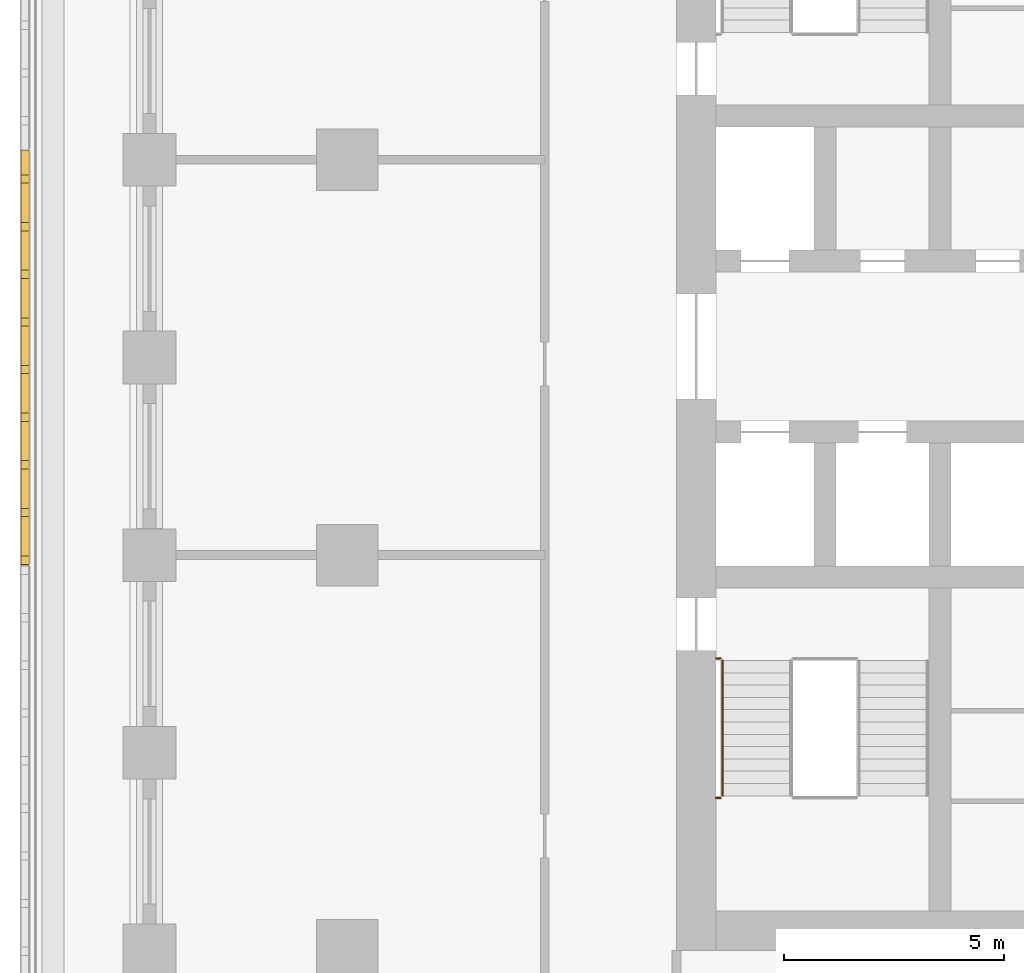
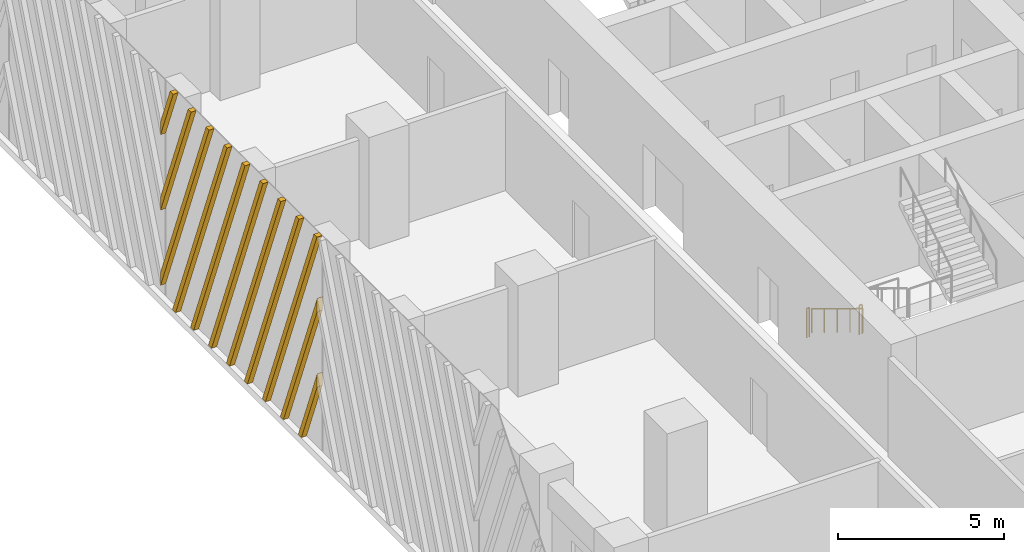
# One storey, part 11 of 19: 3 railings, 1 shading device.
"""IFC4 building model written with IfcOpenShell, lengths in metres."""

from ifc_helpers import new_model, si_unit, direction, frame, origin, origin_2d, place, context, subcontext, project, spatial, polyline, circle, outline, extrude, source, transform, mapped, material, type_object, element, save


model = new_model("IFC4")

# Units and contexts
model_context = context("Model", 3, precision=1e-05, world=origin(), true_north=direction((0.0, 1.0)))
body_context = subcontext(model_context, "Body", "Model", "MODEL_VIEW")
ifc_project = project(units=[si_unit("LENGTHUNIT", "METRE"), si_unit("AREAUNIT", "SQUARE_METRE"), si_unit("VOLUMEUNIT", "CUBIC_METRE"), si_unit("PLANEANGLEUNIT", "RADIAN"), si_unit("MASSUNIT", "GRAM", prefix="KILO")], contexts=[model_context])

# Site, building, storey
site_placement = place(None, origin())
site = spatial("IfcSite", under=ifc_project, at=site_placement, CompositionType="ELEMENT")
building_placement = place(site_placement, origin())
building = spatial("IfcBuilding", under=site, at=building_placement, Name="Corbel Stack Research Tower", CompositionType="ELEMENT")
storey_placement = place(building_placement, frame((0.0, 0.0, 90.199951171875)))
storey = spatial("IfcBuildingStorey", under=building, at=storey_placement, Name="L20", CompositionType="ELEMENT", Elevation=90.199951171875)

# Railings
ifc_material_1 = material(Name="Steel S355", Category="steel")
railing_type_1 = type_object("IfcRailingType", Name="Stair guard 1100", PredefinedType="GUARDRAIL", material=ifc_material_1)
for number, where, name in (
    (1, (-9.60009765625, -5.530029296875, 2.050048828125), "L20 ST-W1 stair guard 3"),
    (2, (-9.60009765625, -2.35009765625, 0.0), "L20 ST-W1 stair guard 6"),
):
    element("IfcRailing", number, at=place(storey_placement, frame(where)), inside=storey, type_object=railing_type_1, Name=name, PredefinedType="GUARDRAIL", context=body_context, shape_type="SweptSolid", body=[
        extrude(circle(Radius=0.02392578125, at=origin_2d()), frame((0.0, 0.0, 1.076171875), z_axis=(1.0, 0.0, 0.0), x_axis=(0.0, 1.0, 0.0)), (0.0, 0.0, 1.0), 0.10009765625),
        extrude(circle(Radius=0.02099609375, at=origin_2d()), origin(), (0.0, 0.0, 1.0), 1.052001953125),
        extrude(circle(Radius=0.02099609375, at=origin_2d()), frame((0.10009765625, 0.0, 0.0)), (0.0, 0.0, 1.0), 1.052001953125),
    ])
ifc_material_2 = material(Name="Steel S355", Category="steel")
railing_type_2 = type_object("IfcRailingType", Name="Stair handrail 900", PredefinedType="HANDRAIL", material=ifc_material_2)
railing_placement = place(storey_placement, frame((-9.449951171875, -2.39990234375, 0.1708984375)))
element("IfcRailing", 3, at=railing_placement, inside=storey, type_object=railing_type_2, Name="L20 ST-W1 stair handrail 1", PredefinedType="HANDRAIL", context=body_context, shape_type="SweptSolid", body=[
    extrude(circle(Radius=0.02392578125, at=origin_2d()), frame((0.0, 0.0, 0.8759765625), z_axis=(0.0, -0.853666305674, 0.52082035152), x_axis=(1.0, 0.0, 0.0)), (0.0, 0.0, 1.0), 3.608154296875),
    extrude(circle(Radius=0.02099609375, at=origin_2d()), origin(), (0.0, 0.0, 1.0), 0.851806640625),
    extrude(circle(Radius=0.02099609375, at=origin_2d()), frame((0.0, -0.77001953125, 0.4697265625)), (0.0, 0.0, 1.0), 0.851806640625),
    extrude(circle(Radius=0.02099609375, at=origin_2d()), frame((0.0, -1.5400390625, 0.939453125)), (0.0, 0.0, 1.0), 0.851806640625),
    extrude(circle(Radius=0.02099609375, at=origin_2d()), frame((0.0, -2.31005859375, 1.409423828125)), (0.0, 0.0, 1.0), 0.851806640625),
    extrude(circle(Radius=0.02099609375, at=origin_2d()), frame((0.0, -3.080078125, 1.879150390625)), (0.0, 0.0, 1.0), 0.851806640625),
])

# Shading device
ifc_material_3 = material(Name="Precast terracotta", Category="masonry")
shading_device_type = type_object("IfcShadingDeviceType", Name="Terracotta screen panel", PredefinedType="USERDEFINED", material=ifc_material_3)
shared_shape = source(origin(), body_context, "Body", "SweptSolid", [
    extrude(outline(polyline([(0.759521484375, 7.949951171875), (0.5693359375, 7.949951171875), (0.0, 6.4921875), (0.0, 6.005615234375), (0.759521484375, 7.949951171875)])), frame((0.0, 0.0, 0.0), z_axis=(0.0, -1.0, 0.0), x_axis=(1.0, 0.0, 0.0)), (0.0, 0.0, 1.0), 0.179931640625),
    extrude(outline(polyline([(1.843994140625, 7.949951171875), (1.654052734375, 7.949951171875), (0.0, 3.71484375), (0.0, 3.228515625), (1.843994140625, 7.949951171875)])), frame((0.0, 0.0, 0.0), z_axis=(0.0, -1.0, 0.0), x_axis=(1.0, 0.0, 0.0)), (0.0, 0.0, 1.0), 0.179931640625),
    extrude(outline(polyline([(2.9287109375, 7.949951171875), (2.73876953125, 7.949951171875), (0.0, 0.9375), (0.0, 0.451171875), (2.9287109375, 7.949951171875)])), frame((0.0, 0.0, 0.0), z_axis=(0.0, -1.0, 0.0), x_axis=(1.0, 0.0, 0.0)), (0.0, 0.0, 1.0), 0.179931640625),
    extrude(outline(polyline([(0.908447265625, 0.0), (4.013427734375, 7.949951171875), (3.823486328125, 7.949951171875), (0.718505859375, 0.0), (0.908447265625, 0.0)])), frame((0.0, 0.0, 0.0), z_axis=(0.0, -1.0, 0.0), x_axis=(1.0, 0.0, 0.0)), (0.0, 0.0, 1.0), 0.179931640625),
    extrude(outline(polyline([(1.9931640625, 0.0), (5.097900390625, 7.949951171875), (4.907958984375, 7.949951171875), (1.80322265625, 0.0), (1.9931640625, 0.0)])), frame((0.0, 0.0, 0.0), z_axis=(0.0, -1.0, 0.0), x_axis=(1.0, 0.0, 0.0)), (0.0, 0.0, 1.0), 0.179931640625),
    extrude(outline(polyline([(3.077880859375, 0.0), (6.1826171875, 7.949951171875), (5.99267578125, 7.949951171875), (2.8876953125, 0.0), (3.077880859375, 0.0)])), frame((0.0, 0.0, 0.0), z_axis=(0.0, -1.0, 0.0), x_axis=(1.0, 0.0, 0.0)), (0.0, 0.0, 1.0), 0.179931640625),
    extrude(outline(polyline([(4.16259765625, 0.0), (7.267333984375, 7.949951171875), (7.077392578125, 7.949951171875), (3.972412109375, 0.0), (4.16259765625, 0.0)])), frame((0.0, 0.0, 0.0), z_axis=(0.0, -1.0, 0.0), x_axis=(1.0, 0.0, 0.0)), (0.0, 0.0, 1.0), 0.179931640625),
    extrude(outline(polyline([(5.247314453125, 0.0), (8.35205078125, 7.949951171875), (8.162109375, 7.949951171875), (5.05712890625, 0.0), (5.247314453125, 0.0)])), frame((0.0, 0.0, 0.0), z_axis=(0.0, -1.0, 0.0), x_axis=(1.0, 0.0, 0.0)), (0.0, 0.0, 1.0), 0.179931640625),
    extrude(outline(polyline([(6.331787109375, 0.0), (9.436767578125, 7.949951171875), (9.24658203125, 7.949951171875), (6.141845703125, 0.0), (6.331787109375, 0.0)])), frame((0.0, 0.0, 0.0), z_axis=(0.0, -1.0, 0.0), x_axis=(1.0, 0.0, 0.0)), (0.0, 0.0, 1.0), 0.179931640625),
    extrude(outline(polyline([(7.41650390625, 0.0), (9.45556640625, 5.22119140625), (9.45556640625, 5.707763671875), (7.2265625, 0.0), (7.41650390625, 0.0)])), frame((0.0, 0.0, 0.0), z_axis=(0.0, -1.0, 0.0), x_axis=(1.0, 0.0, 0.0)), (0.0, 0.0, 1.0), 0.179931640625),
    extrude(outline(polyline([(8.501220703125, 0.0), (9.45556640625, 2.44384765625), (9.45556640625, 2.930419921875), (8.311279296875, 0.0), (8.501220703125, 0.0)])), frame((0.0, 0.0, 0.0), z_axis=(0.0, -1.0, 0.0), x_axis=(1.0, 0.0, 0.0)), (0.0, 0.0, 1.0), 0.179931640625),
])
shading_device_placement = place(storey_placement, frame((-25.25, 9.227783203125, 0.0), z_axis=(0.0, 0.0, 1.0), x_axis=(0.0, -1.0, 0.0)))
element("IfcShadingDevice", 4, at=shading_device_placement, inside=storey, type_object=shading_device_type, Name="Terracotta screen L20 W3", ObjectType="SCREEN", PredefinedType="USERDEFINED", context=body_context, shape_type="MappedRepresentation", body=[
    mapped(shared_shape, transform((0.0, 0.0, 0.0))),
])

save(model, "model.ifc")
